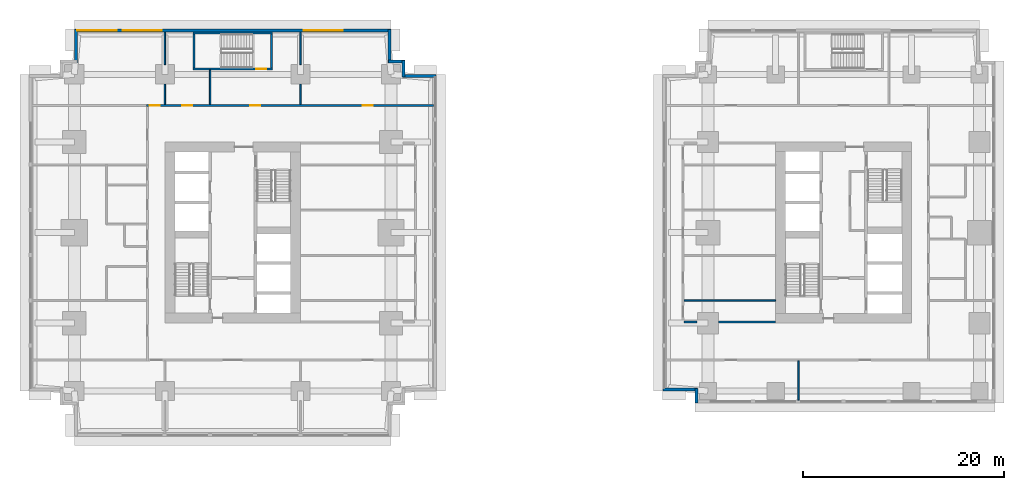
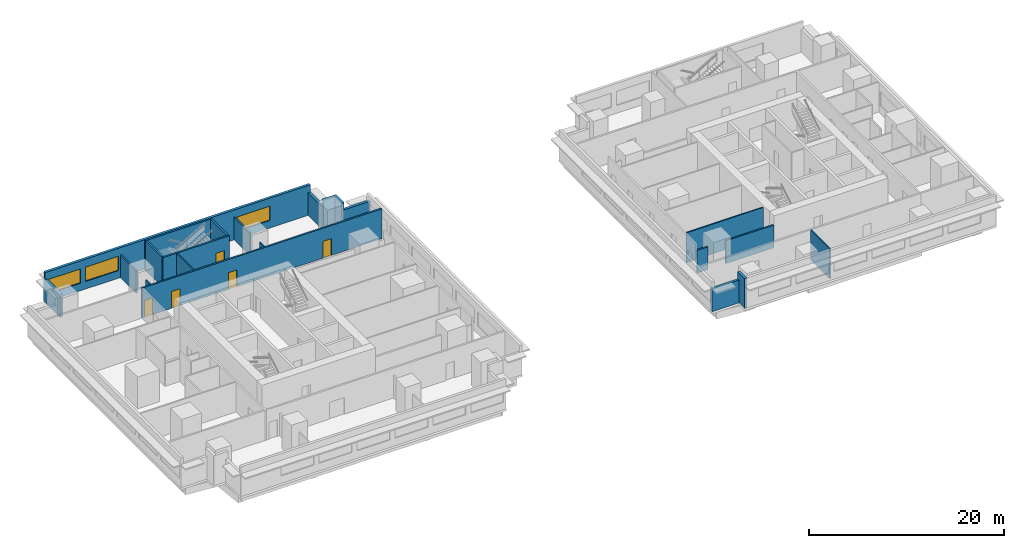
# One storey, part 5 of 11: 22 walls, 5 doors, 3 windows, 8 openings.
"""IFC4 building model written with IfcOpenShell, lengths in metres."""

from ifc_helpers import new_model, si_unit, direction, frame, frame_2d, origin, place, context, subcontext, project, spatial, rectangle, extrude, material, layer, layer_set, type_object, element, fill, save


model = new_model("IFC4")

# Units and contexts
model_context = context("Model", 3, precision=1e-05, world=origin(), true_north=direction((0.0, 1.0)))
body_context = subcontext(model_context, "Body", "Model", "MODEL_VIEW")
ifc_project = project(units=[si_unit("LENGTHUNIT", "METRE"), si_unit("AREAUNIT", "SQUARE_METRE"), si_unit("VOLUMEUNIT", "CUBIC_METRE"), si_unit("PLANEANGLEUNIT", "RADIAN"), si_unit("MASSUNIT", "GRAM", prefix="KILO")], contexts=[model_context])

# Site, building, storey
site_placement = place(None, origin())
site = spatial("IfcSite", under=ifc_project, at=site_placement, CompositionType="ELEMENT")
building_placement = place(site_placement, origin())
building = spatial("IfcBuilding", under=site, at=building_placement, Name="Namib Vertical Campus", CompositionType="ELEMENT")
storey_placement = place(building_placement, frame((0.0, 0.0, 85.0)))
storey = spatial("IfcBuildingStorey", under=building, at=storey_placement, Name="L19", CompositionType="ELEMENT", Elevation=85.0)

# Wall, openings, doors
ifc_material_1 = material(Name="Concrete masonry", Category="masonry")
ifc_layer_1 = layer(ifc_material_1, 0.199951171875)
ifc_layer_set_1 = layer_set([ifc_layer_1], Name="Corridor wall 200")
wall_type_1 = type_object("IfcWallType", Name="Corridor wall 200", PredefinedType="SOLIDWALL", material=ifc_layer_set_1)
wall_1_placement = place(storey_placement, frame((40.199951171875, 32.89990234375, 0.0), z_axis=(0.0, 0.0, 1.0), x_axis=(-1.0, 0.0, 0.0)))
wall_1 = element("IfcWall", 1, at=wall_1_placement, inside=storey, type_object=wall_type_1, Name="Corridor wall A L19 CN", PredefinedType="SOLIDWALL", context=body_context, shape_type="SweptSolid", body=[
    extrude(rectangle(XDim=28.5, YDim=0.199951171875, at=frame_2d((14.25, 0.0))), origin(), (0.0, 0.0, 1.0), 3.75),
])
opening_1_placement = place(wall_1_placement, frame((27.199951171875, 0.0, 0.0)))
opening_1 = element("IfcOpeningElement", 2, at=opening_1_placement, cuts=wall_1, Name="Opening CD1", PredefinedType="OPENING", context=body_context, shape_type="SweptSolid", body=[
    extrude(rectangle(XDim=1.0, YDim=2.10009765625, at=frame_2d((0.5, 1.050048828125))), frame((0.0, 0.10986328125, 0.0), z_axis=(0.0, -1.0, 0.0), x_axis=(1.0, 0.0, 0.0)), (0.0, 0.0, 1.0), 0.219970703125),
])
opening_2_placement = place(wall_1_placement, frame((23.949951171875, 0.0, 0.0)))
opening_2 = element("IfcOpeningElement", 3, at=opening_2_placement, cuts=wall_1, Name="Opening CD1", PredefinedType="OPENING", context=body_context, shape_type="SweptSolid", body=[
    extrude(rectangle(XDim=1.0, YDim=2.10009765625, at=frame_2d((0.5, 1.050048828125))), frame((0.0, 0.10986328125, 0.0), z_axis=(0.0, -1.0, 0.0), x_axis=(1.0, 0.0, 0.0)), (0.0, 0.0, 1.0), 0.219970703125),
])
opening_3_placement = place(wall_1_placement, frame((17.199951171875, 0.0, 0.0)))
opening_3 = element("IfcOpeningElement", 4, at=opening_3_placement, cuts=wall_1, Name="Opening CD1", PredefinedType="OPENING", context=body_context, shape_type="SweptSolid", body=[
    extrude(rectangle(XDim=1.0, YDim=2.10009765625, at=frame_2d((0.5, 1.050048828125))), frame((0.0, 0.10986328125, 0.0), z_axis=(0.0, -1.0, 0.0), x_axis=(1.0, 0.0, 0.0)), (0.0, 0.0, 1.0), 0.219970703125),
])
opening_4_placement = place(wall_1_placement, frame((6.0, 0.0, 0.0)))
opening_4 = element("IfcOpeningElement", 5, at=opening_4_placement, cuts=wall_1, Name="Opening CD1", PredefinedType="OPENING", context=body_context, shape_type="SweptSolid", body=[
    extrude(rectangle(XDim=1.0, YDim=2.10009765625, at=frame_2d((0.5, 1.050048828125))), frame((0.0, 0.10986328125, 0.0), z_axis=(0.0, -1.0, 0.0), x_axis=(1.0, 0.0, 0.0)), (0.0, 0.0, 1.0), 0.219970703125),
])
ifc_material_2 = material(Name="Timber fire door leaf", Category="wood")
door_type_1 = type_object("IfcDoorType", Name="Corridor door 1000x2100 20 min", OperationType="SINGLE_SWING_LEFT", PredefinedType="DOOR", material=ifc_material_2)
door_1_placement = place(opening_1_placement, frame((1.0, 0.0, 0.0), z_axis=(0.0, 0.0, 1.0), x_axis=(-1.0, 0.0, 0.0)))
door_1 = element("IfcDoor", 6, at=door_1_placement, inside=storey, type_object=door_type_1, Name="Door CD1 A19-09", OperationType="SINGLE_SWING_RIGHT", OverallHeight=2.10009765625, OverallWidth=1.0, PredefinedType="DOOR", context=body_context, shape_type="SweptSolid", body=[
    extrude(rectangle(XDim=1.0, YDim=2.10009765625, at=frame_2d((0.5, 1.050048828125))), frame((0.0, 0.02490234375, 0.0), z_axis=(0.0, -1.0, 0.0), x_axis=(1.0, 0.0, 0.0)), (0.0, 0.0, 1.0), 0.050048828125),
])
fill(opening_1, door_1)
door_2_placement = place(opening_2_placement, frame((1.0, 0.0, 0.0), z_axis=(0.0, 0.0, 1.0), x_axis=(-1.0, 0.0, 0.0)))
door_2 = element("IfcDoor", 7, at=door_2_placement, inside=storey, type_object=door_type_1, Name="Door CD1 A19-10", OperationType="SINGLE_SWING_RIGHT", OverallHeight=2.10009765625, OverallWidth=1.0, PredefinedType="DOOR", context=body_context, shape_type="SweptSolid", body=[
    extrude(rectangle(XDim=1.0, YDim=2.10009765625, at=frame_2d((0.5, 1.050048828125))), frame((0.0, 0.02490234375, 0.0), z_axis=(0.0, -1.0, 0.0), x_axis=(1.0, 0.0, 0.0)), (0.0, 0.0, 1.0), 0.050048828125),
])
fill(opening_2, door_2)
door_3_placement = place(opening_3_placement, frame((1.0, 0.0, 0.0), z_axis=(0.0, 0.0, 1.0), x_axis=(-1.0, 0.0, 0.0)))
door_3 = element("IfcDoor", 8, at=door_3_placement, inside=storey, type_object=door_type_1, Name="Door CD1 A19-11", OperationType="SINGLE_SWING_RIGHT", OverallHeight=2.10009765625, OverallWidth=1.0, PredefinedType="DOOR", context=body_context, shape_type="SweptSolid", body=[
    extrude(rectangle(XDim=1.0, YDim=2.10009765625, at=frame_2d((0.5, 1.050048828125))), frame((0.0, 0.02490234375, 0.0), z_axis=(0.0, -1.0, 0.0), x_axis=(1.0, 0.0, 0.0)), (0.0, 0.0, 1.0), 0.050048828125),
])
fill(opening_3, door_3)
door_4_placement = place(opening_4_placement, frame((1.0, 0.0, 0.0), z_axis=(0.0, 0.0, 1.0), x_axis=(-1.0, 0.0, 0.0)))
door_4 = element("IfcDoor", 9, at=door_4_placement, inside=storey, type_object=door_type_1, Name="Door CD1 A19-12", OperationType="SINGLE_SWING_LEFT", OverallHeight=2.10009765625, OverallWidth=1.0, PredefinedType="DOOR", context=body_context, shape_type="SweptSolid", body=[
    extrude(rectangle(XDim=1.0, YDim=2.10009765625, at=frame_2d((0.5, 1.050048828125))), frame((0.0, 0.02490234375, 0.0), z_axis=(0.0, -1.0, 0.0), x_axis=(1.0, 0.0, 0.0)), (0.0, 0.0, 1.0), 0.050048828125),
])
fill(opening_4, door_4)

# Walls
wall_2_placement = place(storey_placement, frame((65.14990234375, 11.35009765625, 0.0), z_axis=(0.0, 0.0, 1.0), x_axis=(1.0, 0.0, 0.0)))
element("IfcWall", 10, at=wall_2_placement, inside=storey, type_object=wall_type_1, Name="Corridor wall B L19 GS", PredefinedType="SOLIDWALL", context=body_context, shape_type="SweptSolid", body=[
    extrude(rectangle(XDim=1.280029296875, YDim=0.199951171875, at=frame_2d((0.64013671875, 0.0))), origin(), (0.0, 0.0, 1.0), 2.85009765625),
])
wall_3_placement = place(storey_placement, frame((68.570068359375, 11.35009765625, 0.0), z_axis=(0.0, 0.0, 1.0), x_axis=(1.0, 0.0, 0.0)))
element("IfcWall", 11, at=wall_3_placement, inside=storey, type_object=wall_type_1, Name="Corridor wall B L19 GS", PredefinedType="SOLIDWALL", context=body_context, shape_type="SweptSolid", body=[
    extrude(rectangle(XDim=5.679931640625, YDim=0.199951171875, at=frame_2d((2.83984375, 0.0))), origin(), (0.0, 0.0, 1.0), 2.85009765625),
])
ifc_material_3 = material(Name="Concrete C40/50", Category="concrete")
ifc_layer_2 = layer(ifc_material_3, 0.300048828125)
ifc_layer_set_2 = layer_set([ifc_layer_2], Name="Concrete C40/50")
wall_type_2 = type_object("IfcWallType", Name="External wall 300 board-marked concrete", PredefinedType="STANDARD", material=ifc_layer_set_2)
wall_4_placement = place(storey_placement, frame((40.47998046875, 35.85009765625, 0.0), z_axis=(0.0, 0.0, 1.0), x_axis=(-1.0, 0.0, 0.0)))
element("IfcWall", 12, at=wall_4_placement, inside=storey, type_object=wall_type_2, Name="External wall L19 F07", PredefinedType="STANDARD", context=body_context, shape_type="SweptSolid", body=[
    extrude(rectangle(XDim=3.35986328125, YDim=0.300048828125, at=frame_2d((1.679931640625, 0.0))), origin(), (0.0, 0.0, 1.0), 2.85009765625),
])
for number, where, z_axis, x_axis, name in (
    (13, (37.25, 35.719970703125, 0.0), (0.0, 0.0, 1.0), (0.0, 1.0, 0.0), "External wall L19 F08"),
    (14, (37.3798828125, 37.25, 0.0), (0.0, 0.0, 1.0), (-1.0, 0.0, 0.0), "External wall L19 F09"),
):
    element("IfcWall", number, at=place(storey_placement, frame(where, z_axis=z_axis, x_axis=x_axis)), inside=storey, type_object=wall_type_2, Name=name, PredefinedType="STANDARD", context=body_context, shape_type="SweptSolid", body=[
        extrude(rectangle(XDim=1.659912109375, YDim=0.300048828125, at=frame_2d((0.830078125, 0.0))), origin(), (0.0, 0.0, 1.0), 3.75),
    ])
wall_5_placement = place(storey_placement, frame((35.85009765625, 37.1201171875, 0.0), z_axis=(0.0, 0.0, 1.0), x_axis=(0.0, 1.0, 0.0)))
element("IfcWall", 15, at=wall_5_placement, inside=storey, type_object=wall_type_2, Name="External wall L19 F10", PredefinedType="STANDARD", context=body_context, shape_type="SweptSolid", body=[
    extrude(rectangle(XDim=3.35986328125, YDim=0.300048828125, at=frame_2d((1.679931640625, 0.0))), origin(), (0.0, 0.0, 1.0), 2.85009765625),
])

# Wall, openings, windows
wall_6_placement = place(storey_placement, frame((35.97998046875, 40.35009765625, 0.0), z_axis=(0.0, 0.0, 1.0), x_axis=(-1.0, 0.0, 0.0)))
wall_6 = element("IfcWall", 16, at=wall_6_placement, inside=storey, type_object=wall_type_2, Name="External wall L19 F11", PredefinedType="STANDARD", context=body_context, shape_type="SweptSolid", body=[
    extrude(rectangle(XDim=31.4599609375, YDim=0.300048828125, at=frame_2d((15.72998046875, 0.0))), origin(), (0.0, 0.0, 1.0), 3.75),
])
opening_5_placement = place(wall_6_placement, frame((27.280029296875, 0.0, 0.949951171875)))
opening_5 = element("IfcOpeningElement", 17, at=opening_5_placement, cuts=wall_6, Name="Opening W3", PredefinedType="OPENING", context=body_context, shape_type="SweptSolid", body=[
    extrude(rectangle(XDim=3.89990234375, YDim=1.800048828125, at=frame_2d((1.949951171875, 0.89990234375))), frame((0.0, 0.159912109375, 0.0), z_axis=(0.0, -1.0, 0.0), x_axis=(1.0, 0.0, 0.0)), (0.0, 0.0, 1.0), 0.320068359375),
])
opening_6_placement = place(wall_6_placement, frame((22.780029296875, 0.0, 0.949951171875)))
opening_6 = element("IfcOpeningElement", 18, at=opening_6_placement, cuts=wall_6, Name="Opening W3", PredefinedType="OPENING", context=body_context, shape_type="SweptSolid", body=[
    extrude(rectangle(XDim=3.89990234375, YDim=1.800048828125, at=frame_2d((1.949951171875, 0.89990234375))), frame((0.0, 0.159912109375, 0.0), z_axis=(0.0, -1.0, 0.0), x_axis=(1.0, 0.0, 0.0)), (0.0, 0.0, 1.0), 0.320068359375),
])
opening_7_placement = place(wall_6_placement, frame((4.780029296875, 0.0, 0.949951171875)))
opening_7 = element("IfcOpeningElement", 19, at=opening_7_placement, cuts=wall_6, Name="Opening W3", PredefinedType="OPENING", context=body_context, shape_type="SweptSolid", body=[
    extrude(rectangle(XDim=3.89990234375, YDim=1.800048828125, at=frame_2d((1.949951171875, 0.89990234375))), frame((0.0, 0.159912109375, 0.0), z_axis=(0.0, -1.0, 0.0), x_axis=(1.0, 0.0, 0.0)), (0.0, 0.0, 1.0), 0.320068359375),
])
ifc_material_4 = material(Name="Dark tinted glass in black aluminium frame", Category="aluminium")
window_type = type_object("IfcWindowType", Name="Ribbon window 3900x1800", PartitioningType="SINGLE_PANEL", PredefinedType="WINDOW", material=ifc_material_4)
window_1_placement = place(opening_5_placement, origin())
window_1 = element("IfcWindow", 20, at=window_1_placement, inside=storey, type_object=window_type, Name="Window W3 L19 F11-1", OverallHeight=1.800048828125, OverallWidth=3.89990234375, PartitioningType="SINGLE_PANEL", PredefinedType="WINDOW", context=body_context, shape_type="SweptSolid", body=[
    extrude(rectangle(XDim=3.89990234375, YDim=1.800048828125, at=frame_2d((1.949951171875, 0.89990234375))), frame((0.0, 0.030029296875, 0.0), z_axis=(0.0, -1.0, 0.0), x_axis=(1.0, 0.0, 0.0)), (0.0, 0.0, 1.0), 0.06005859375),
])
fill(opening_5, window_1)
window_2_placement = place(opening_6_placement, origin())
window_2 = element("IfcWindow", 21, at=window_2_placement, inside=storey, type_object=window_type, Name="Window W3 L19 F11-2", OverallHeight=1.800048828125, OverallWidth=3.89990234375, PartitioningType="SINGLE_PANEL", PredefinedType="WINDOW", context=body_context, shape_type="SweptSolid", body=[
    extrude(rectangle(XDim=3.89990234375, YDim=1.800048828125, at=frame_2d((1.949951171875, 0.89990234375))), frame((0.0, 0.030029296875, 0.0), z_axis=(0.0, -1.0, 0.0), x_axis=(1.0, 0.0, 0.0)), (0.0, 0.0, 1.0), 0.06005859375),
])
fill(opening_6, window_2)
window_3_placement = place(opening_7_placement, origin())
window_3 = element("IfcWindow", 22, at=window_3_placement, inside=storey, type_object=window_type, Name="Window W3 L19 F11-6", OverallHeight=1.800048828125, OverallWidth=3.89990234375, PartitioningType="SINGLE_PANEL", PredefinedType="WINDOW", context=body_context, shape_type="SweptSolid", body=[
    extrude(rectangle(XDim=3.89990234375, YDim=1.800048828125, at=frame_2d((1.949951171875, 0.89990234375))), frame((0.0, 0.030029296875, 0.0), z_axis=(0.0, -1.0, 0.0), x_axis=(1.0, 0.0, 0.0)), (0.0, 0.0, 1.0), 0.06005859375),
])
fill(opening_7, window_3)

# Walls
wall_7_placement = place(storey_placement, frame((4.64990234375, 40.47998046875, 0.0), z_axis=(0.0, 0.0, 1.0), x_axis=(0.0, -1.0, 0.0)))
element("IfcWall", 23, at=wall_7_placement, inside=storey, type_object=wall_type_2, Name="External wall L19 F12", PredefinedType="STANDARD", context=body_context, shape_type="SweptSolid", body=[
    extrude(rectangle(XDim=3.35986328125, YDim=0.300048828125, at=frame_2d((1.679931640625, 0.0))), origin(), (0.0, 0.0, 1.0), 2.85009765625),
])
wall_8_placement = place(storey_placement, frame((63.02001953125, 4.64990234375, 0.0), z_axis=(0.0, 0.0, 1.0), x_axis=(1.0, 0.0, 0.0)))
element("IfcWall", 24, at=wall_8_placement, inside=storey, type_object=wall_type_2, Name="External wall L19 F01", PredefinedType="STANDARD", context=body_context, shape_type="SweptSolid", body=[
    extrude(rectangle(XDim=3.4599609375, YDim=0.300048828125, at=frame_2d((1.72998046875, 0.0))), origin(), (0.0, 0.0, 1.0), 2.85009765625),
])
wall_9_placement = place(storey_placement, frame((66.35009765625, 4.780029296875, 0.0), z_axis=(0.0, 0.0, 1.0), x_axis=(0.0, -1.0, 0.0)))
element("IfcWall", 25, at=wall_9_placement, inside=storey, type_object=wall_type_2, Name="External wall L19 F02", PredefinedType="STANDARD", context=body_context, shape_type="SweptSolid", body=[
    extrude(rectangle(XDim=1.4599609375, YDim=0.300048828125, at=frame_2d((0.72998046875, 0.0))), origin(), (0.0, 0.0, 1.0), 3.75),
])
ifc_material_5 = material(Name="Gypsum board on steel studs", Category="steel")
ifc_layer_3 = layer(ifc_material_5, 0.14990234375)
ifc_layer_set_3 = layer_set([ifc_layer_3], Name="Gypsum board on steel studs")
wall_type_3 = type_object("IfcWallType", Name="Partition 150", PredefinedType="PARTITIONING", material=ifc_layer_set_3)
wall_10_placement = place(storey_placement, frame((13.5, 33.0, 0.0), z_axis=(0.0, 0.0, 1.0), x_axis=(0.0, 1.0, 0.0)))
element("IfcWall", 26, at=wall_10_placement, inside=storey, type_object=wall_type_3, Name="Partition A L19 PN1", PredefinedType="PARTITIONING", context=body_context, shape_type="SweptSolid", body=[
    extrude(rectangle(XDim=2.030029296875, YDim=0.14990234375, at=frame_2d((1.01513671875, 0.0))), origin(), (0.0, 0.0, 1.0), 2.85009765625),
])
wall_11_placement = place(storey_placement, frame((13.5, 36.969970703125, 0.0), z_axis=(0.0, 0.0, 1.0), x_axis=(0.0, 1.0, 0.0)))
element("IfcWall", 27, at=wall_11_placement, inside=storey, type_object=wall_type_3, Name="Partition A L19 PN1", PredefinedType="PARTITIONING", context=body_context, shape_type="SweptSolid", body=[
    extrude(rectangle(XDim=3.22998046875, YDim=0.14990234375, at=frame_2d((1.614990234375, 0.0))), origin(), (0.0, 0.0, 1.0), 2.85009765625),
])
wall_12_placement = place(storey_placement, frame((18.0, 33.0, 0.0), z_axis=(0.0, 0.0, 1.0), x_axis=(0.0, 1.0, 0.0)))
element("IfcWall", 28, at=wall_12_placement, inside=storey, type_object=wall_type_3, Name="Partition A L19 PN2", PredefinedType="PARTITIONING", context=body_context, shape_type="SweptSolid", body=[
    extrude(rectangle(XDim=3.449951171875, YDim=0.14990234375, at=frame_2d((1.72509765625, 0.0))), origin(), (0.0, 0.0, 1.0), 3.75),
])
wall_13_placement = place(storey_placement, frame((27.0, 33.0, 0.0), z_axis=(0.0, 0.0, 1.0), x_axis=(0.0, 1.0, 0.0)))
element("IfcWall", 29, at=wall_13_placement, inside=storey, type_object=wall_type_3, Name="Partition A L19 PN3", PredefinedType="PARTITIONING", context=body_context, shape_type="SweptSolid", body=[
    extrude(rectangle(XDim=2.030029296875, YDim=0.14990234375, at=frame_2d((1.01513671875, 0.0))), origin(), (0.0, 0.0, 1.0), 2.85009765625),
])
wall_14_placement = place(storey_placement, frame((27.0, 36.969970703125, 0.0), z_axis=(0.0, 0.0, 1.0), x_axis=(0.0, 1.0, 0.0)))
element("IfcWall", 30, at=wall_14_placement, inside=storey, type_object=wall_type_3, Name="Partition A L19 PN3", PredefinedType="PARTITIONING", context=body_context, shape_type="SweptSolid", body=[
    extrude(rectangle(XDim=3.22998046875, YDim=0.14990234375, at=frame_2d((1.614990234375, 0.0))), origin(), (0.0, 0.0, 1.0), 2.85009765625),
])
wall_15_placement = place(storey_placement, frame((76.5, 3.60009765625, 0.0), z_axis=(0.0, 0.0, 1.0), x_axis=(0.0, 1.0, 0.0)))
element("IfcWall", 31, at=wall_15_placement, inside=storey, type_object=wall_type_3, Name="Partition B L19 PS1", PredefinedType="PARTITIONING", context=body_context, shape_type="SweptSolid", body=[
    extrude(rectangle(XDim=3.89990234375, YDim=0.14990234375, at=frame_2d((1.949951171875, 0.0))), origin(), (0.0, 0.0, 1.0), 3.75),
])
wall_16_placement = place(storey_placement, frame((65.14990234375, 13.5, 0.0), z_axis=(0.0, 0.0, 1.0), x_axis=(1.0, 0.0, 0.0)))
element("IfcWall", 32, at=wall_16_placement, inside=storey, type_object=wall_type_3, Name="Partition B L19 PW1", PredefinedType="PARTITIONING", context=body_context, shape_type="SweptSolid", body=[
    extrude(rectangle(XDim=9.10009765625, YDim=0.14990234375, at=frame_2d((4.550048828125, 0.0))), origin(), (0.0, 0.0, 1.0), 3.75),
])

# Wall, opening, door
ifc_material_6 = material(Name="Concrete C40/50", Category="concrete")
ifc_layer_4 = layer(ifc_material_6, 0.199951171875)
ifc_layer_set_4 = layer_set([ifc_layer_4], Name="Concrete C40/50")
wall_type_4 = type_object("IfcWallType", Name="Stair enclosure wall RC 200", PredefinedType="SOLIDWALL", material=ifc_layer_set_4)
wall_17_placement = place(storey_placement, frame((16.300048828125, 36.550048828125, 0.0), z_axis=(0.0, 0.0, 1.0), x_axis=(1.0, 0.0, 0.0)))
wall_17 = element("IfcWall", 33, at=wall_17_placement, inside=storey, type_object=wall_type_4, Name="Stair enclosure wall A-S3 L19 S", PredefinedType="SOLIDWALL", context=body_context, shape_type="SweptSolid", body=[
    extrude(rectangle(XDim=7.89990234375, YDim=0.199951171875, at=frame_2d((3.949951171875, 0.0))), origin(), (0.0, 0.0, 1.0), 3.75),
])
opening_8_placement = place(wall_17_placement, frame((6.300048828125, 0.0, 0.0)))
opening_8 = element("IfcOpeningElement", 34, at=opening_8_placement, cuts=wall_17, Name="Opening FD1", PredefinedType="OPENING", context=body_context, shape_type="SweptSolid", body=[
    extrude(rectangle(XDim=1.0, YDim=2.10009765625, at=frame_2d((0.5, 1.050048828125))), frame((0.0, 0.10986328125, 0.0), z_axis=(0.0, -1.0, 0.0), x_axis=(1.0, 0.0, 0.0)), (0.0, 0.0, 1.0), 0.219970703125),
])
ifc_material_7 = material(Name="Steel fire door", Category="steel")
door_type_2 = type_object("IfcDoorType", Name="Fire door 1000x2100", OperationType="SINGLE_SWING_RIGHT", PredefinedType="DOOR", material=ifc_material_7)
door_5_placement = place(opening_8_placement, origin())
door_5 = element("IfcDoor", 35, at=door_5_placement, inside=storey, type_object=door_type_2, Name="Stair door FD1 A L19 S3", OperationType="SINGLE_SWING_RIGHT", OverallHeight=2.10009765625, OverallWidth=1.0, PredefinedType="DOOR", context=body_context, shape_type="SweptSolid", body=[
    extrude(rectangle(XDim=1.0, YDim=2.10009765625, at=frame_2d((0.5, 1.050048828125))), frame((0.0, 0.02490234375, 0.0), z_axis=(0.0, -1.0, 0.0), x_axis=(1.0, 0.0, 0.0)), (0.0, 0.0, 1.0), 0.050048828125),
])
fill(opening_8, door_5)

# Walls
wall_18_placement = place(storey_placement, frame((16.300048828125, 40.10009765625, 0.0), z_axis=(0.0, 0.0, 1.0), x_axis=(1.0, 0.0, 0.0)))
element("IfcWall", 36, at=wall_18_placement, inside=storey, type_object=wall_type_4, Name="Stair enclosure wall A-S3 L19 N", PredefinedType="SOLIDWALL", context=body_context, shape_type="SweptSolid", body=[
    extrude(rectangle(XDim=7.89990234375, YDim=0.199951171875, at=frame_2d((3.949951171875, 0.0))), origin(), (0.0, 0.0, 1.0), 3.75),
])
for number, where, z_axis, x_axis, name in (
    (37, (16.39990234375, 36.64990234375, 0.0), (0.0, 0.0, 1.0), (0.0, 1.0, 0.0), "Stair enclosure wall A-S3 L19 W"),
    (38, (24.10009765625, 36.64990234375, 0.0), (0.0, 0.0, 1.0), (0.0, 1.0, 0.0), "Stair enclosure wall A-S3 L19 E"),
):
    element("IfcWall", number, at=place(storey_placement, frame(where, z_axis=z_axis, x_axis=x_axis)), inside=storey, type_object=wall_type_4, Name=name, PredefinedType="SOLIDWALL", context=body_context, shape_type="SweptSolid", body=[
        extrude(rectangle(XDim=3.35009765625, YDim=0.199951171875, at=frame_2d((1.675048828125, 0.0))), origin(), (0.0, 0.0, 1.0), 3.75),
    ])

save(model, "model.ifc")
